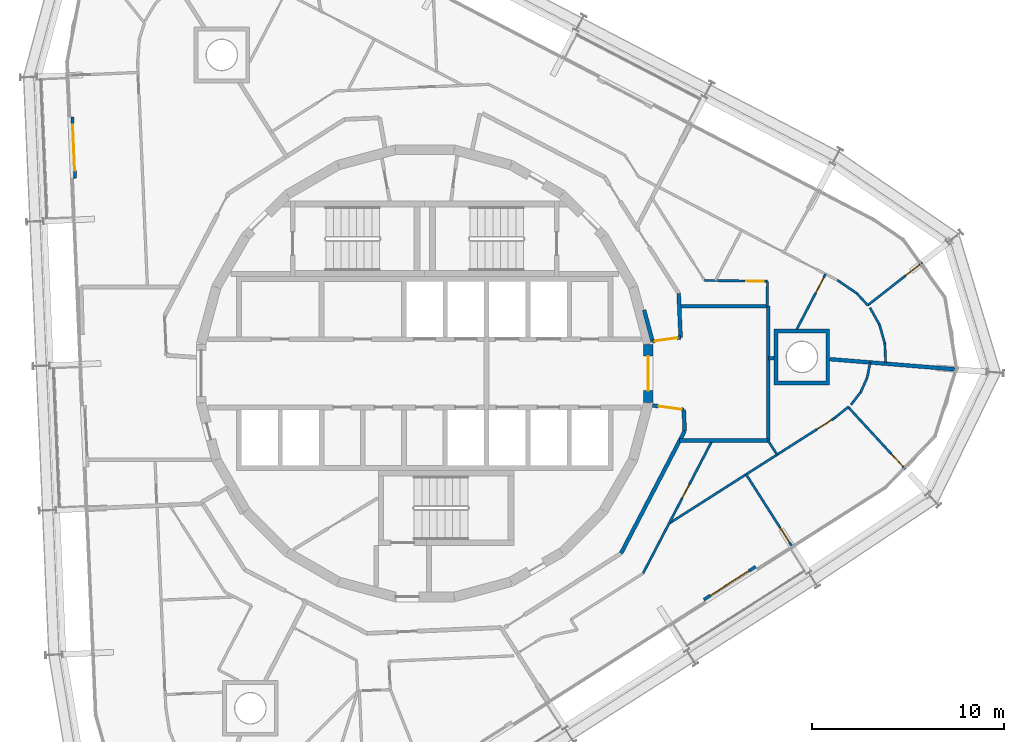
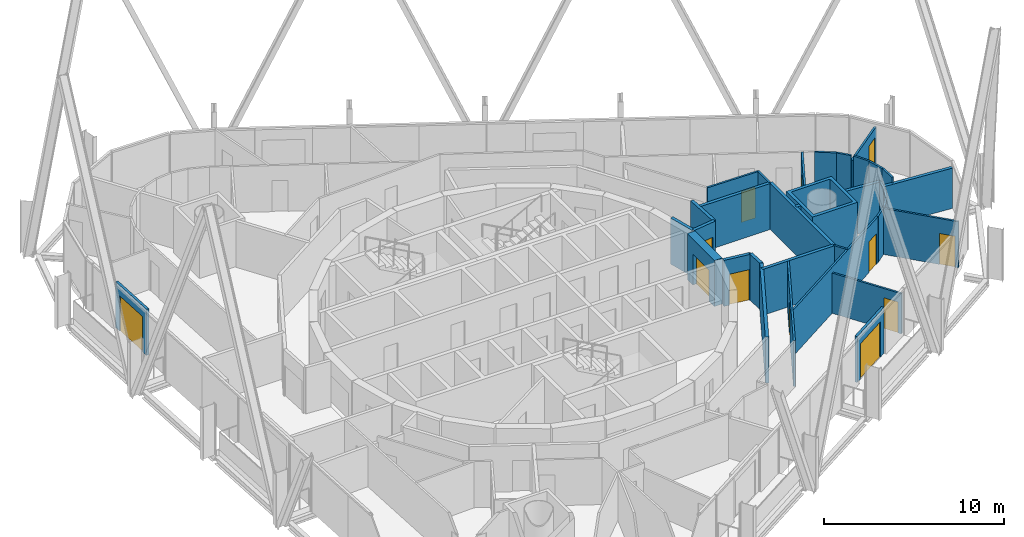
# One storey, part 14 of 18: 34 walls, 12 doors, 12 openings.
"""IFC4 building model written with IfcOpenShell, lengths in metres."""

from ifc_helpers import new_model, si_unit, direction, frame, frame_2d, origin, place, context, subcontext, project, spatial, polyline, rectangle, outline, extrude, material, layer, layer_set, type_object, element, fill, save


model = new_model("IFC4")

# Units and contexts
model_context = context("Model", 3, precision=1e-05, world=origin(), true_north=direction((0.0, 1.0)))
body_context = subcontext(model_context, "Body", "Model", "MODEL_VIEW")
ifc_project = project(units=[si_unit("LENGTHUNIT", "METRE"), si_unit("AREAUNIT", "SQUARE_METRE"), si_unit("VOLUMEUNIT", "CUBIC_METRE"), si_unit("PLANEANGLEUNIT", "RADIAN"), si_unit("MASSUNIT", "GRAM", prefix="KILO")], contexts=[model_context])

# Site, building, storey
site_placement = place(None, origin())
site = spatial("IfcSite", under=ifc_project, at=site_placement, CompositionType="ELEMENT")
building_placement = place(site_placement, origin())
building = spatial("IfcBuilding", under=site, at=building_placement, Name="Spindle Arch Residences", CompositionType="ELEMENT")
storey_placement = place(building_placement, frame((0.0, 0.0, 240.699951171875)))
storey = spatial("IfcBuildingStorey", under=building, at=storey_placement, Name="L61", CompositionType="ELEMENT", Elevation=240.699951171875)

# Wall, opening, door
ifc_material_1 = material(Name="Concrete C50/60", Category="concrete")
ifc_layer_1 = layer(ifc_material_1, 0.5)
ifc_layer_set_1 = layer_set([ifc_layer_1], Name="Core outline wall 500")
wall_type_1 = type_object("IfcWallType", Name="Core outline wall 500", PredefinedType="SHEAR", material=ifc_layer_set_1)
wall_1_placement = place(storey_placement, frame((11.647216796875, -1.516357421875, 0.0), z_axis=(0.0, 0.0, 1.0), x_axis=(0.0, 1.0, 0.0)))
wall_1 = element("IfcWall", 1, at=wall_1_placement, inside=storey, type_object=wall_type_1, Name="Core outline wall 6", PredefinedType="SHEAR", context=body_context, shape_type="SweptSolid", body=[
    extrude(rectangle(XDim=3.03271484375, YDim=0.5, at=frame_2d((1.516357421875, 0.0))), origin(), (0.0, 0.0, 1.0), 3.1201171875),
])
opening_1_placement = place(wall_1_placement, frame((0.6162109375, 0.0, 0.0)))
opening_1 = element("IfcOpeningElement", 2, at=opening_1_placement, cuts=wall_1, Name="Opening R6B0-FE01", PredefinedType="OPENING", context=body_context, shape_type="SweptSolid", body=[
    extrude(rectangle(XDim=1.800048828125, YDim=2.10009765625, at=frame_2d((0.89990234375, 1.050048828125))), frame((0.0, 0.260009765625, 0.0), z_axis=(0.0, -1.0, 0.0), x_axis=(1.0, 0.0, 0.0)), (0.0, 0.0, 1.0), 0.52001953125),
])
ifc_material_2 = material(Name="Steel, fire-resisting door", Category="steel")
door_type_1 = type_object("IfcDoorType", Name="Fire-lift lobby door 1800x2100", OperationType="DOUBLE_DOOR_SINGLE_SWING", PredefinedType="DOOR", material=ifc_material_2)
door_1_placement = place(opening_1_placement, origin())
door_1 = element("IfcDoor", 3, at=door_1_placement, inside=storey, type_object=door_type_1, Name="Fire-lift lobby door R6B0-FE01", OperationType="DOUBLE_DOOR_SINGLE_SWING", OverallHeight=2.10009765625, OverallWidth=1.800048828125, PredefinedType="DOOR", context=body_context, shape_type="SweptSolid", body=[
    extrude(rectangle(XDim=1.800048828125, YDim=2.10009765625, at=frame_2d((0.89990234375, 1.050048828125))), frame((0.0, 0.02490234375, 0.0), z_axis=(0.0, -1.0, 0.0), x_axis=(1.0, 0.0, 0.0)), (0.0, 0.0, 1.0), 0.050048828125),
])
fill(opening_1, door_1)

# Wall
ifc_material_3 = material(Name="Calcium silicate block, plastered")
ifc_layer_2 = layer(ifc_material_3, 0.199951171875)
ifc_layer_set_2 = layer_set([ifc_layer_2], Name="Fire-lift lobby bay wall 200")
wall_type_2 = type_object("IfcWallType", Name="Fire-lift lobby bay wall 200", PredefinedType="STANDARD", material=ifc_layer_set_2)
wall_2_placement = place(storey_placement, frame((11.8701171875, 1.668212890625, 0.0), z_axis=(0.0, 0.0, 1.0), x_axis=(-0.258836880648, 0.965921047093, 0.0)))
element("IfcWall", 4, at=wall_2_placement, inside=storey, type_object=wall_type_2, Name="Fire-lift lobby bay wall R6B0-W001", PredefinedType="STANDARD", context=body_context, shape_type="SweptSolid", body=[
    extrude(rectangle(XDim=1.695068359375, YDim=0.199951171875, at=frame_2d((0.84765625, 0.0))), origin(), (0.0, 0.0, 1.0), 3.1201171875),
])

# Wall, opening, door
wall_3_placement = place(storey_placement, frame((11.8701171875, 1.668212890625, 0.0), z_axis=(0.0, 0.0, 1.0), x_axis=(0.990267985606, 0.139173692496, 0.0)))
wall_3 = element("IfcWall", 5, at=wall_3_placement, inside=storey, type_object=wall_type_2, Name="Fire-lift lobby bay wall R6B0-W002", PredefinedType="STANDARD", context=body_context, shape_type="SweptSolid", body=[
    extrude(rectangle(XDim=1.475341796875, YDim=0.199951171875, at=frame_2d((0.73779296875, 0.0))), origin(), (0.0, 0.0, 1.0), 3.1201171875),
])
opening_2_placement = place(wall_3_placement, frame((0.110107421875, 0.0, 0.0)))
opening_2 = element("IfcOpeningElement", 6, at=opening_2_placement, cuts=wall_3, Name="Opening R6B0-CD01", PredefinedType="OPENING", context=body_context, shape_type="SweptSolid", body=[
    extrude(rectangle(XDim=1.199951171875, YDim=2.10009765625, at=frame_2d((0.60009765625, 1.050048828125))), frame((0.0, 0.10986328125, 0.0), z_axis=(0.0, -1.0, 0.0), x_axis=(1.0, 0.0, 0.0)), (0.0, 0.0, 1.0), 0.219970703125),
])
ifc_material_4 = material(Name="Steel, fire-resisting door", Category="steel")
door_type_2 = type_object("IfcDoorType", Name="Corridor division door 1200x2100", OperationType="NOTDEFINED", PredefinedType="DOOR", material=ifc_material_4)
door_2_placement = place(opening_2_placement, origin())
door_2 = element("IfcDoor", 7, at=door_2_placement, inside=storey, type_object=door_type_2, Name="Corridor division door R6B0-CD01", OperationType="DOUBLE_DOOR_SINGLE_SWING", OverallHeight=2.10009765625, OverallWidth=1.199951171875, PredefinedType="DOOR", context=body_context, shape_type="SweptSolid", body=[
    extrude(rectangle(XDim=1.199951171875, YDim=2.10009765625, at=frame_2d((0.60009765625, 1.050048828125))), frame((0.0, 0.02490234375, 0.0), z_axis=(0.0, -1.0, 0.0), x_axis=(1.0, 0.0, 0.0)), (0.0, 0.0, 1.0), 0.050048828125),
])
fill(opening_2, door_2)

# Walls
wall_4_placement = place(storey_placement, frame((13.3310546875, 1.87353515625, 0.0), z_axis=(0.0, 0.0, 1.0), x_axis=(-0.043621457762, 0.999048131184, 0.0)))
element("IfcWall", 8, at=wall_4_placement, inside=storey, type_object=wall_type_2, Name="Fire-lift lobby bay wall R6B0-W003", PredefinedType="STANDARD", context=body_context, shape_type="SweptSolid", body=[
    extrude(rectangle(XDim=2.30029296875, YDim=0.199951171875, at=frame_2d((1.150146484375, 0.0))), origin(), (0.0, 0.0, 1.0), 3.1201171875),
])
wall_5_placement = place(storey_placement, frame((10.22802734375, -9.372314453125, 0.0), z_axis=(0.0, 0.0, 1.0), x_axis=(0.461759464021, 0.887005184532, 0.0)))
element("IfcWall", 9, at=wall_5_placement, inside=storey, type_object=wall_type_2, Name="Fire-lift lobby bay wall R6B0-W013", PredefinedType="STANDARD", context=body_context, shape_type="SweptSolid", body=[
    extrude(rectangle(XDim=7.18115234375, YDim=0.199951171875, at=frame_2d((3.590576171875, 0.0))), origin(), (0.0, 0.0, 1.0), 3.1201171875),
])
wall_6_placement = place(storey_placement, frame((13.5439453125, -3.002685546875, 0.0), z_axis=(0.0, 0.0, 1.0), x_axis=(-0.043666917606, 0.999046145234, 0.0)))
element("IfcWall", 10, at=wall_6_placement, inside=storey, type_object=wall_type_2, Name="Fire-lift lobby bay wall R6B0-W014", PredefinedType="STANDARD", context=body_context, shape_type="SweptSolid", body=[
    extrude(rectangle(XDim=1.10693359375, YDim=0.199951171875, at=frame_2d((0.553466796875, 0.0))), origin(), (0.0, 0.0, 1.0), 3.1201171875),
])

# Wall, opening, door
wall_7_placement = place(storey_placement, frame((13.49560546875, -1.896728515625, 0.0), z_axis=(0.0, 0.0, 1.0), x_axis=(-0.99026234641, 0.139213811391, 0.0)))
wall_7 = element("IfcWall", 11, at=wall_7_placement, inside=storey, type_object=wall_type_2, Name="Fire-lift lobby bay wall R6B0-W015", PredefinedType="STANDARD", context=body_context, shape_type="SweptSolid", body=[
    extrude(rectangle(XDim=1.641357421875, YDim=0.199951171875, at=frame_2d((0.82080078125, 0.0))), origin(), (0.0, 0.0, 1.0), 3.1201171875),
])
opening_3_placement = place(wall_7_placement, frame((0.110107421875, 0.0, 0.0)))
opening_3 = element("IfcOpeningElement", 12, at=opening_3_placement, cuts=wall_7, Name="Opening R6B0-CD02", PredefinedType="OPENING", context=body_context, shape_type="SweptSolid", body=[
    extrude(rectangle(XDim=1.199951171875, YDim=2.10009765625, at=frame_2d((0.60009765625, 1.050048828125))), frame((0.0, 0.10986328125, 0.0), z_axis=(0.0, -1.0, 0.0), x_axis=(1.0, 0.0, 0.0)), (0.0, 0.0, 1.0), 0.219970703125),
])
door_3_placement = place(opening_3_placement, origin())
door_3 = element("IfcDoor", 13, at=door_3_placement, inside=storey, type_object=door_type_2, Name="Corridor division door R6B0-CD02", OperationType="DOUBLE_DOOR_SINGLE_SWING", OverallHeight=2.10009765625, OverallWidth=1.199951171875, PredefinedType="DOOR", context=body_context, shape_type="SweptSolid", body=[
    extrude(rectangle(XDim=1.199951171875, YDim=2.10009765625, at=frame_2d((0.60009765625, 1.050048828125))), frame((0.0, 0.02490234375, 0.0), z_axis=(0.0, -1.0, 0.0), x_axis=(1.0, 0.0, 0.0)), (0.0, 0.0, 1.0), 0.050048828125),
])
fill(opening_3, door_3)

# Walls
wall_8_placement = place(storey_placement, frame((17.83740234375, 3.5, 0.0), z_axis=(0.0, 0.0, 1.0), x_axis=(-1.0, 0.0, 0.0)))
element("IfcWall", 14, at=wall_8_placement, inside=storey, type_object=wall_type_2, Name="Fire-lift lobby bay wall R6B0-W025", PredefinedType="STANDARD", context=body_context, shape_type="SweptSolid", body=[
    extrude(rectangle(XDim=4.577392578125, YDim=0.199951171875, at=frame_2d((2.28857421875, 0.0))), origin(), (0.0, 0.0, 1.0), 3.1201171875),
])
wall_9_placement = place(storey_placement, frame((17.89990234375, -3.5, 0.0), z_axis=(0.0, 0.0, 1.0), x_axis=(0.0, 1.0, 0.0)))
element("IfcWall", 15, at=wall_9_placement, inside=storey, type_object=wall_type_2, Name="Fire-lift lobby bay wall R6B0-W026", PredefinedType="STANDARD", context=body_context, shape_type="SweptSolid", body=[
    extrude(rectangle(XDim=7.0, YDim=0.199951171875, at=frame_2d((3.5, 0.0))), origin(), (0.0, 0.0, 1.0), 3.1201171875),
])
wall_10_placement = place(storey_placement, frame((13.284912109375, -3.5, 0.0), z_axis=(0.0, 0.0, 1.0), x_axis=(1.0, 0.0, 0.0)))
element("IfcWall", 16, at=wall_10_placement, inside=storey, type_object=wall_type_2, Name="Fire-lift lobby bay wall R6B0-W027", PredefinedType="STANDARD", context=body_context, shape_type="SweptSolid", body=[
    extrude(rectangle(XDim=4.60107421875, YDim=0.199951171875, at=frame_2d((2.300537109375, 0.0))), origin(), (0.0, 0.0, 1.0), 3.1201171875),
])
ifc_material_5 = material(Name="Plasterboard on steel studs", Category="steel")
ifc_layer_3 = layer(ifc_material_5, 0.1201171875)
ifc_layer_set_3 = layer_set([ifc_layer_3], Name="Flat partition 120")
wall_type_3 = type_object("IfcWallType", Name="Flat partition 120", PredefinedType="PARTITIONING", material=ifc_layer_set_3)
wall_11_placement = place(storey_placement, frame((17.83740234375, 3.5, 0.0), z_axis=(0.0, 0.0, 1.0), x_axis=(0.014687681009, 0.999892130195, 0.0)))
element("IfcWall", 17, at=wall_11_placement, inside=storey, type_object=wall_type_3, Name="Flat partition R6B0-W038", PredefinedType="PARTITIONING", context=body_context, shape_type="SweptSolid", body=[
    extrude(rectangle(XDim=1.296630859375, YDim=0.1201171875, at=frame_2d((0.6484375, 0.0))), origin(), (0.0, 0.0, 1.0), 3.1201171875),
])

# Wall, opening, door
wall_12_placement = place(storey_placement, frame((17.8564453125, 4.79638671875, 0.0), z_axis=(0.0, 0.0, 1.0), x_axis=(-0.999890074231, 0.014826983962, 0.0)))
wall_12 = element("IfcWall", 18, at=wall_12_placement, inside=storey, type_object=wall_type_3, Name="Flat partition R6B0-W039", PredefinedType="PARTITIONING", context=body_context, shape_type="SweptSolid", body=[
    extrude(rectangle(XDim=3.276611328125, YDim=0.1201171875, at=frame_2d((1.63818359375, 0.0))), origin(), (0.0, 0.0, 1.0), 3.1201171875),
])
opening_4_placement = place(wall_12_placement, frame((0.199951171875, 0.0, 0.0)))
opening_4 = element("IfcOpeningElement", 19, at=opening_4_placement, cuts=wall_12, Name="Opening R6B0-ID01", PredefinedType="OPENING", context=body_context, shape_type="SweptSolid", body=[
    extrude(rectangle(XDim=0.89990234375, YDim=2.10009765625, at=frame_2d((0.449951171875, 1.050048828125))), frame((0.0, 0.070068359375, 0.0), z_axis=(0.0, -1.0, 0.0), x_axis=(1.0, 0.0, 0.0)), (0.0, 0.0, 1.0), 0.14013671875),
])
ifc_material_6 = material(Name="Timber door set", Category="wood")
door_type_3 = type_object("IfcDoorType", Name="Room door 900x2100", OperationType="NOTDEFINED", PredefinedType="DOOR", material=ifc_material_6)
door_4_placement = place(opening_4_placement, origin())
door_4 = element("IfcDoor", 20, at=door_4_placement, inside=storey, type_object=door_type_3, Name="Room door R6B0-ID01", OperationType="SINGLE_SWING_LEFT", OverallHeight=2.10009765625, OverallWidth=0.89990234375, PredefinedType="DOOR", context=body_context, shape_type="SweptSolid", body=[
    extrude(rectangle(XDim=0.89990234375, YDim=2.10009765625, at=frame_2d((0.449951171875, 1.050048828125))), frame((0.0, 0.02490234375, 0.0), z_axis=(0.0, -1.0, 0.0), x_axis=(1.0, 0.0, 0.0)), (0.0, 0.0, 1.0), 0.050048828125),
])
fill(opening_4, door_4)

# Walls
for number, where, z_axis, x_axis, name in (
    (21, (23.197265625, 3.419677734375, 0.0), (0.0, 0.0, 1.0), (0.487315027955, -0.873226238456, 0.0), "Flat partition R6B0-W041"),
    (22, (23.6923828125, 2.532470703125, 0.0), (0.0, 0.0, 1.0), (0.272721198141, -0.962093107804, 0.0), "Flat partition R6B0-W042"),
):
    element("IfcWall", number, at=place(storey_placement, frame(where, z_axis=z_axis, x_axis=x_axis)), inside=storey, type_object=wall_type_3, Name=name, PredefinedType="PARTITIONING", context=body_context, shape_type="SweptSolid", body=[
        extrude(rectangle(XDim=1.01611328125, YDim=0.1201171875, at=frame_2d((0.508056640625, 0.0))), origin(), (0.0, 0.0, 1.0), 3.1201171875),
    ])
wall_13_placement = place(storey_placement, frame((23.969482421875, 1.554931640625, 0.0), z_axis=(0.0, 0.0, 1.0), x_axis=(0.043739672645, -0.999042962558, 0.0)))
element("IfcWall", 23, at=wall_13_placement, inside=storey, type_object=wall_type_3, Name="Flat partition R6B0-W043", PredefinedType="PARTITIONING", context=body_context, shape_type="SweptSolid", body=[
    extrude(rectangle(XDim=1.015869140625, YDim=0.1201171875, at=frame_2d((0.5078125, 0.0))), origin(), (0.0, 0.0, 1.0), 3.1201171875),
])

# Wall, opening, door
wall_14_placement = place(storey_placement, frame((20.88232421875, 5.177001953125, 0.0), z_axis=(0.0, 0.0, 1.0), x_axis=(-0.461706806129, -0.887032595328, 0.0)))
wall_14 = element("IfcWall", 24, at=wall_14_placement, inside=storey, type_object=wall_type_3, Name="Flat partition R6B0-W045", PredefinedType="PARTITIONING", context=body_context, shape_type="SweptSolid", body=[
    extrude(rectangle(XDim=3.234619140625, YDim=0.1201171875, at=frame_2d((1.6171875, 0.0))), origin(), (0.0, 0.0, 1.0), 3.1201171875),
])
opening_5_placement = place(wall_14_placement, frame((0.199951171875, 0.0, 0.0)))
opening_5 = element("IfcOpeningElement", 25, at=opening_5_placement, cuts=wall_14, Name="Opening R6B0-ID02", PredefinedType="OPENING", context=body_context, shape_type="SweptSolid", body=[
    extrude(rectangle(XDim=0.89990234375, YDim=2.10009765625, at=frame_2d((0.449951171875, 1.050048828125))), frame((0.0, 0.070068359375, 0.0), z_axis=(0.0, -1.0, 0.0), x_axis=(1.0, 0.0, 0.0)), (0.0, 0.0, 1.0), 0.14013671875),
])
door_5_placement = place(opening_5_placement, origin())
door_5 = element("IfcDoor", 26, at=door_5_placement, inside=storey, type_object=door_type_3, Name="Room door R6B0-ID02", OperationType="SINGLE_SWING_LEFT", OverallHeight=2.10009765625, OverallWidth=0.89990234375, PredefinedType="DOOR", context=body_context, shape_type="SweptSolid", body=[
    extrude(rectangle(XDim=0.89990234375, YDim=2.10009765625, at=frame_2d((0.449951171875, 1.050048828125))), frame((0.0, 0.02490234375, 0.0), z_axis=(0.0, -1.0, 0.0), x_axis=(1.0, 0.0, 0.0)), (0.0, 0.0, 1.0), 0.050048828125),
])
fill(opening_5, door_5)

# Walls
wall_15_placement = place(storey_placement, frame((23.080078125, 3.54736328125, 0.0), z_axis=(0.0, 0.0, 1.0), x_axis=(-0.67556712677, 0.737298485844, 0.0)))
element("IfcWall", 27, at=wall_15_placement, inside=storey, type_object=wall_type_3, Name="Flat partition R6B0-W046", PredefinedType="PARTITIONING", context=body_context, shape_type="SweptSolid", body=[
    extrude(rectangle(XDim=0.84228515625, YDim=0.1201171875, at=frame_2d((0.421142578125, 0.0))), origin(), (0.0, 0.0, 1.0), 3.1201171875),
])
wall_16_placement = place(storey_placement, frame((22.510986328125, 4.16845703125, 0.0), z_axis=(0.0, 0.0, 1.0), x_axis=(-0.82733707504, 0.561705763068, 0.0)))
element("IfcWall", 28, at=wall_16_placement, inside=storey, type_object=wall_type_3, Name="Flat partition R6B0-W047", PredefinedType="PARTITIONING", context=body_context, shape_type="SweptSolid", body=[
    extrude(rectangle(XDim=1.22705078125, YDim=0.1201171875, at=frame_2d((0.613525390625, 0.0))), origin(), (0.0, 0.0, 1.0), 3.1201171875),
])

# Wall, opening, door
wall_17_placement = place(storey_placement, frame((11.373046875, -10.42138671875, 0.0), z_axis=(0.0, 0.0, 1.0), x_axis=(0.461746745223, 0.887011805601, 0.0)))
wall_17 = element("IfcWall", 29, at=wall_17_placement, inside=storey, type_object=wall_type_3, Name="Flat partition R6B0-W098", PredefinedType="PARTITIONING", context=body_context, shape_type="SweptSolid", body=[
    extrude(rectangle(XDim=7.802978515625, YDim=0.1201171875, at=frame_2d((3.9013671875, 0.0))), origin(), (0.0, 0.0, 1.0), 3.1201171875),
])
opening_6_placement = place(wall_17_placement, frame((4.431396484375, 0.0, 0.0)))
opening_6 = element("IfcOpeningElement", 30, at=opening_6_placement, cuts=wall_17, Name="Opening R6B0-BD06", PredefinedType="OPENING", context=body_context, shape_type="SweptSolid", body=[
    extrude(rectangle(XDim=0.800048828125, YDim=2.10009765625, at=frame_2d((0.39990234375, 1.050048828125))), frame((0.0, 0.070068359375, 0.0), z_axis=(0.0, -1.0, 0.0), x_axis=(1.0, 0.0, 0.0)), (0.0, 0.0, 1.0), 0.14013671875),
])
ifc_material_7 = material(Name="Timber door set", Category="wood")
door_type_4 = type_object("IfcDoorType", Name="Bathroom door 800x2100", OperationType="NOTDEFINED", PredefinedType="DOOR", material=ifc_material_7)
door_6_placement = place(opening_6_placement, origin())
door_6 = element("IfcDoor", 31, at=door_6_placement, inside=storey, type_object=door_type_4, Name="Bathroom door R6B0-BD06", OperationType="SINGLE_SWING_RIGHT", OverallHeight=2.10009765625, OverallWidth=0.800048828125, PredefinedType="DOOR", context=body_context, shape_type="SweptSolid", body=[
    extrude(rectangle(XDim=0.800048828125, YDim=2.10009765625, at=frame_2d((0.39990234375, 1.050048828125))), frame((0.0, 0.02490234375, 0.0), z_axis=(0.0, -1.0, 0.0), x_axis=(1.0, 0.0, 0.0)), (0.0, 0.0, 1.0), 0.050048828125),
])
fill(opening_6, door_6)

wall_18_placement = place(storey_placement, frame((21.3681640625, -2.31591796875, 0.0), z_axis=(0.0, 0.0, 1.0), x_axis=(-0.843388627156, -0.537304032726, 0.0)))
wall_18 = element("IfcWall", 32, at=wall_18_placement, inside=storey, type_object=wall_type_3, Name="Flat partition R6B0-W099", PredefinedType="PARTITIONING", context=body_context, shape_type="SweptSolid", body=[
    extrude(rectangle(XDim=10.246337890625, YDim=0.1201171875, at=frame_2d((5.123046875, 0.0))), origin(), (0.0, 0.0, 1.0), 3.1201171875),
])
opening_7_placement = place(wall_18_placement, frame((0.199951171875, 0.0, 0.0)))
opening_7 = element("IfcOpeningElement", 33, at=opening_7_placement, cuts=wall_18, Name="Opening R6B0-ID25", PredefinedType="OPENING", context=body_context, shape_type="SweptSolid", body=[
    extrude(rectangle(XDim=0.89990234375, YDim=2.10009765625, at=frame_2d((0.449951171875, 1.050048828125))), frame((0.0, 0.070068359375, 0.0), z_axis=(0.0, -1.0, 0.0), x_axis=(1.0, 0.0, 0.0)), (0.0, 0.0, 1.0), 0.14013671875),
])
door_7_placement = place(opening_7_placement, origin())
door_7 = element("IfcDoor", 34, at=door_7_placement, inside=storey, type_object=door_type_3, Name="Room door R6B0-ID25", OperationType="SINGLE_SWING_LEFT", OverallHeight=2.10009765625, OverallWidth=0.89990234375, PredefinedType="DOOR", context=body_context, shape_type="SweptSolid", body=[
    extrude(rectangle(XDim=0.89990234375, YDim=2.10009765625, at=frame_2d((0.449951171875, 1.050048828125))), frame((0.0, 0.02490234375, 0.0), z_axis=(0.0, -1.0, 0.0), x_axis=(1.0, 0.0, 0.0)), (0.0, 0.0, 1.0), 0.050048828125),
])
fill(opening_7, door_7)

# Walls
wall_19_placement = place(storey_placement, frame((18.354736328125, -4.235595703125, 0.0), z_axis=(0.0, 0.0, 1.0), x_axis=(-0.537400605047, 0.843327095316, 0.0)))
element("IfcWall", 35, at=wall_19_placement, inside=storey, type_object=wall_type_3, Name="Flat partition R6B0-W101", PredefinedType="PARTITIONING", context=body_context, shape_type="SweptSolid", body=[
    extrude(rectangle(XDim=0.872314453125, YDim=0.1201171875, at=frame_2d((0.43603515625, 0.0))), origin(), (0.0, 0.0, 1.0), 3.1201171875),
])
wall_20_placement = place(storey_placement, frame((22.08837890625, -1.72900390625, 0.0), z_axis=(0.0, 0.0, 1.0), x_axis=(-0.775196856296, -0.631719743232, 0.0)))
element("IfcWall", 36, at=wall_20_placement, inside=storey, type_object=wall_type_3, Name="Flat partition R6B0-W102", PredefinedType="PARTITIONING", context=body_context, shape_type="SweptSolid", body=[
    extrude(rectangle(XDim=0.928955078125, YDim=0.1201171875, at=frame_2d((0.46435546875, 0.0))), origin(), (0.0, 0.0, 1.0), 3.1201171875),
])

# Wall, opening, door
wall_21_placement = place(storey_placement, frame((25.044921875, -4.995849609375, 0.0), z_axis=(0.0, 0.0, 1.0), x_axis=(-0.677690998913, 0.735346795731, 0.0)))
wall_21 = element("IfcWall", 37, at=wall_21_placement, inside=storey, type_object=wall_type_3, Name="Flat partition R6B0-W103", PredefinedType="PARTITIONING", context=body_context, shape_type="SweptSolid", body=[
    extrude(rectangle(XDim=4.407958984375, YDim=0.1201171875, at=frame_2d((2.2041015625, 0.0))), origin(), (0.0, 0.0, 1.0), 3.1201171875),
])
opening_8_placement = place(wall_21_placement, frame((0.199951171875, 0.0, 0.0)))
opening_8 = element("IfcOpeningElement", 38, at=opening_8_placement, cuts=wall_21, Name="Opening R6B0-ID26", PredefinedType="OPENING", context=body_context, shape_type="SweptSolid", body=[
    extrude(rectangle(XDim=0.89990234375, YDim=2.10009765625, at=frame_2d((0.449951171875, 1.050048828125))), frame((0.0, 0.070068359375, 0.0), z_axis=(0.0, -1.0, 0.0), x_axis=(1.0, 0.0, 0.0)), (0.0, 0.0, 1.0), 0.14013671875),
])
door_8_placement = place(opening_8_placement, origin())
door_8 = element("IfcDoor", 39, at=door_8_placement, inside=storey, type_object=door_type_3, Name="Room door R6B0-ID26", OperationType="SINGLE_SWING_RIGHT", OverallHeight=2.10009765625, OverallWidth=0.89990234375, PredefinedType="DOOR", context=body_context, shape_type="SweptSolid", body=[
    extrude(rectangle(XDim=0.89990234375, YDim=2.10009765625, at=frame_2d((0.449951171875, 1.050048828125))), frame((0.0, 0.02490234375, 0.0), z_axis=(0.0, -1.0, 0.0), x_axis=(1.0, 0.0, 0.0)), (0.0, 0.0, 1.0), 0.050048828125),
])
fill(opening_8, door_8)

# Walls
wall_22_placement = place(storey_placement, frame((22.210693359375, -1.62939453125, 0.0), z_axis=(0.0, 0.0, 1.0), x_axis=(0.60891358868, 0.793236560882, 0.0)))
element("IfcWall", 40, at=wall_22_placement, inside=storey, type_object=wall_type_3, Name="Flat partition R6B0-W104", PredefinedType="PARTITIONING", context=body_context, shape_type="SweptSolid", body=[
    extrude(rectangle(XDim=0.8291015625, YDim=0.1201171875, at=frame_2d((0.41455078125, 0.0))), origin(), (0.0, 0.0, 1.0), 3.1201171875),
])
wall_23_placement = place(storey_placement, frame((22.715576171875, -0.9716796875, 0.0), z_axis=(0.0, 0.0, 1.0), x_axis=(0.409335118315, 0.91238410821, 0.0)))
element("IfcWall", 41, at=wall_23_placement, inside=storey, type_object=wall_type_3, Name="Flat partition R6B0-W105", PredefinedType="PARTITIONING", context=body_context, shape_type="SweptSolid", body=[
    extrude(rectangle(XDim=0.828369140625, YDim=0.1201171875, at=frame_2d((0.4140625, 0.0))), origin(), (0.0, 0.0, 1.0), 3.1201171875),
])
wall_24_placement = place(storey_placement, frame((23.0546875, -0.2158203125, 0.0), z_axis=(0.0, 0.0, 1.0), x_axis=(0.18778445718, 0.982210261421, 0.0)))
element("IfcWall", 42, at=wall_24_placement, inside=storey, type_object=wall_type_3, Name="Flat partition R6B0-W106", PredefinedType="PARTITIONING", context=body_context, shape_type="SweptSolid", body=[
    extrude(rectangle(XDim=0.80078125, YDim=0.1201171875, at=frame_2d((0.400390625, 0.0))), origin(), (0.0, 0.0, 1.0), 3.1201171875),
])

# Wall, opening, door
ifc_material_8 = material(Name="Plasterboard on steel studs", Category="steel")
ifc_layer_4 = layer(ifc_material_8, 0.1201171875)
ifc_layer_set_4 = layer_set([ifc_layer_4], Name="Flat partition 120 under beam 2730")
wall_type_4 = type_object("IfcWallType", Name="Flat partition 120 under beam 2730", PredefinedType="PARTITIONING", material=ifc_layer_set_4)
wall_25_placement = place(storey_placement, frame((25.921630859375, 5.775146484375, 0.0), z_axis=(0.0, 0.0, 1.0), x_axis=(-0.786972505765, -0.616988067283, 0.0)))
wall_25 = element("IfcWall", 43, at=wall_25_placement, inside=storey, type_object=wall_type_4, Name="Flat partition R6B0-W044", PredefinedType="PARTITIONING", context=body_context, shape_type="SweptSolid", body=[
    extrude(rectangle(XDim=3.61083984375, YDim=0.1201171875, at=frame_2d((1.805419921875, 0.0))), origin(), (0.0, 0.0, 1.0), 2.72998046875),
])
opening_9_placement = place(wall_25_placement, frame((0.199951171875, 0.0, 0.0)))
opening_9 = element("IfcOpeningElement", 44, at=opening_9_placement, cuts=wall_25, Name="Opening R6B0-ID05", PredefinedType="OPENING", context=body_context, shape_type="SweptSolid", body=[
    extrude(rectangle(XDim=0.89990234375, YDim=2.10009765625, at=frame_2d((0.449951171875, 1.050048828125))), frame((0.0, 0.070068359375, 0.0), z_axis=(0.0, -1.0, 0.0), x_axis=(1.0, 0.0, 0.0)), (0.0, 0.0, 1.0), 0.14013671875),
])
door_9_placement = place(opening_9_placement, origin())
door_9 = element("IfcDoor", 45, at=door_9_placement, inside=storey, type_object=door_type_3, Name="Room door R6B0-ID05", OperationType="SINGLE_SWING_LEFT", OverallHeight=2.10009765625, OverallWidth=0.89990234375, PredefinedType="DOOR", context=body_context, shape_type="SweptSolid", body=[
    extrude(rectangle(XDim=0.89990234375, YDim=2.10009765625, at=frame_2d((0.449951171875, 1.050048828125))), frame((0.0, 0.02490234375, 0.0), z_axis=(0.0, -1.0, 0.0), x_axis=(1.0, 0.0, 0.0)), (0.0, 0.0, 1.0), 0.050048828125),
])
fill(opening_9, door_9)

wall_26_placement = place(storey_placement, frame((19.108642578125, -8.972412109375, 0.0), z_axis=(0.0, 0.0, 1.0), x_axis=(-0.537345751125, 0.843362047847, 0.0)))
wall_26 = element("IfcWall", 46, at=wall_26_placement, inside=storey, type_object=wall_type_4, Name="Flat partition R6B0-W100", PredefinedType="PARTITIONING", context=body_context, shape_type="SweptSolid", body=[
    extrude(rectangle(XDim=4.39990234375, YDim=0.1201171875, at=frame_2d((2.199951171875, 0.0))), origin(), (0.0, 0.0, 1.0), 2.72998046875),
])
opening_10_placement = place(wall_26_placement, frame((0.199951171875, 0.0, 0.0)))
opening_10 = element("IfcOpeningElement", 47, at=opening_10_placement, cuts=wall_26, Name="Opening R6B0-ID24", PredefinedType="OPENING", context=body_context, shape_type="SweptSolid", body=[
    extrude(rectangle(XDim=0.89990234375, YDim=2.10009765625, at=frame_2d((0.449951171875, 1.050048828125))), frame((0.0, 0.070068359375, 0.0), z_axis=(0.0, -1.0, 0.0), x_axis=(1.0, 0.0, 0.0)), (0.0, 0.0, 1.0), 0.14013671875),
])
door_10_placement = place(opening_10_placement, origin())
door_10 = element("IfcDoor", 48, at=door_10_placement, inside=storey, type_object=door_type_3, Name="Room door R6B0-ID24", OperationType="SINGLE_SWING_RIGHT", OverallHeight=2.10009765625, OverallWidth=0.89990234375, PredefinedType="DOOR", context=body_context, shape_type="SweptSolid", body=[
    extrude(rectangle(XDim=0.89990234375, YDim=2.10009765625, at=frame_2d((0.449951171875, 1.050048828125))), frame((0.0, 0.02490234375, 0.0), z_axis=(0.0, -1.0, 0.0), x_axis=(1.0, 0.0, 0.0)), (0.0, 0.0, 1.0), 0.050048828125),
])
fill(opening_10, door_10)

# Walls
ifc_material_9 = material(Name="Calcium silicate block, plastered")
ifc_layer_5 = layer(ifc_material_9, 0.199951171875)
ifc_layer_set_5 = layer_set([ifc_layer_5], Name="Flat party wall 200")
wall_type_5 = type_object("IfcWallType", Name="Flat party wall 200", PredefinedType="STANDARD", material=ifc_layer_set_5)
wall_27_placement = place(storey_placement, frame((21.10009765625, 0.74072265625, 0.0), z_axis=(0.0, 0.0, 1.0), x_axis=(0.996757677143, -0.080461997598, 0.0)))
element("IfcWall", 49, at=wall_27_placement, inside=storey, type_object=wall_type_5, Name="Flat party wall R6B0-W030", PredefinedType="STANDARD", context=body_context, shape_type="SweptSolid", body=[
    extrude(rectangle(XDim=2.11181640625, YDim=0.199951171875, at=frame_2d((1.055908203125, 0.0))), origin(), (0.0, 0.0, 1.0), 3.1201171875),
])
wall_28_placement = place(storey_placement, frame((17.919921875, 0.782470703125, 0.0), z_axis=(0.0, 0.0, 1.0), x_axis=(0.999051221661, 0.04355061995, 0.0)))
element("IfcWall", 50, at=wall_28_placement, inside=storey, type_object=wall_type_5, Name="Flat party wall R6B0-W031", PredefinedType="STANDARD", context=body_context, shape_type="SweptSolid", body=[
    extrude(rectangle(XDim=0.2802734375, YDim=0.199951171875, at=frame_2d((0.14013671875, 0.0))), origin(), (0.0, 0.0, 1.0), 3.1201171875),
])
ifc_material_10 = material(Name="Calcium silicate block, plastered")
ifc_layer_6 = layer(ifc_material_10, 0.199951171875)
ifc_layer_set_6 = layer_set([ifc_layer_6], Name="Flat party wall 200 under beam 2730")
wall_type_6 = type_object("IfcWallType", Name="Flat party wall 200 under beam 2730", PredefinedType="STANDARD", material=ifc_layer_set_6)
wall_29_placement = place(storey_placement, frame((23.205078125, 0.57080078125, 0.0), z_axis=(0.0, 0.0, 1.0), x_axis=(0.996747395793, -0.080589260944, 0.0)))
element("IfcWall", 51, at=wall_29_placement, inside=storey, type_object=wall_type_6, Name="Flat party wall R6B0-W029", PredefinedType="STANDARD", context=body_context, shape_type="SweptSolid", body=[
    extrude(rectangle(XDim=4.426025390625, YDim=0.199951171875, at=frame_2d((2.212890625, 0.0))), origin(), (0.0, 0.0, 1.0), 2.72998046875),
])

# Wall, opening, door
ifc_material_11 = material(Name="Non-combustible mineral wool insulated aluminium faced external wall (K0)", Category="aluminium")
ifc_layer_7 = layer(ifc_material_11, 0.159912109375)
ifc_layer_set_7 = layer_set([ifc_layer_7], Name="Insulated external wall panel 160")
wall_type_7 = type_object("IfcWallType", Name="Insulated external wall panel 160", PredefinedType="STANDARD", material=ifc_layer_set_7)
wall_30_placement = place(storey_placement, frame((-18.354736328125, 13.3623046875, 0.0), z_axis=(0.0, 0.0, 1.0), x_axis=(0.043639181999, -0.999047357133, 0.0)))
wall_30 = element("IfcWall", 52, at=wall_30_placement, inside=storey, type_object=wall_type_7, Name="External wall L61 bay 13", PredefinedType="STANDARD", context=body_context, shape_type="SweptSolid", body=[
    extrude(rectangle(XDim=3.199951171875, YDim=0.159912109375, at=frame_2d((1.60009765625, 0.0))), origin(), (0.0, 0.0, 1.0), 3.1201171875),
])
opening_11_placement = place(wall_30_placement, frame((0.39990234375, 0.0, 0.0)))
opening_11 = element("IfcOpeningElement", 53, at=opening_11_placement, cuts=wall_30, Name="Opening BD13", PredefinedType="OPENING", context=body_context, shape_type="SweptSolid", body=[
    extrude(rectangle(XDim=2.39990234375, YDim=2.39990234375, at=frame_2d((1.199951171875, 1.199951171875))), frame((0.0, 0.08984375, 0.0), z_axis=(0.0, -1.0, 0.0), x_axis=(1.0, 0.0, 0.0)), (0.0, 0.0, 1.0), 0.179931640625),
])
ifc_material_12 = material(Name="Bronze aluminium frame, tinted double glazing", Category="aluminium")
door_type_5 = type_object("IfcDoorType", Name="Sliding glazed balcony door 2400x2400", OperationType="DOUBLE_DOOR_SLIDING", PredefinedType="DOOR", material=ifc_material_12)
door_11_placement = place(opening_11_placement, origin())
door_11 = element("IfcDoor", 54, at=door_11_placement, inside=storey, type_object=door_type_5, Name="Balcony door BD13", OperationType="DOUBLE_DOOR_SLIDING", OverallHeight=2.39990234375, OverallWidth=2.39990234375, PredefinedType="DOOR", context=body_context, shape_type="SweptSolid", body=[
    extrude(rectangle(XDim=2.39990234375, YDim=2.39990234375, at=frame_2d((1.199951171875, 1.199951171875))), frame((0.0, 0.02490234375, 0.0), z_axis=(0.0, -1.0, 0.0), x_axis=(1.0, 0.0, 0.0)), (0.0, 0.0, 1.0), 0.050048828125),
])
fill(opening_11, door_11)

wall_31_placement = place(storey_placement, frame((14.540771484375, -11.78759765625, 0.0), z_axis=(0.0, 0.0, 1.0), x_axis=(0.843419508298, 0.53725555653, 0.0)))
wall_31 = element("IfcWall", 55, at=wall_31_placement, inside=storey, type_object=wall_type_7, Name="External wall L61 bay 1", PredefinedType="STANDARD", context=body_context, shape_type="SweptSolid", body=[
    extrude(rectangle(XDim=3.199951171875, YDim=0.159912109375, at=frame_2d((1.60009765625, 0.0))), origin(), (0.0, 0.0, 1.0), 3.1201171875),
])
opening_12_placement = place(wall_31_placement, frame((0.39990234375, 0.0, 0.0)))
opening_12 = element("IfcOpeningElement", 56, at=opening_12_placement, cuts=wall_31, Name="Opening BD01", PredefinedType="OPENING", context=body_context, shape_type="SweptSolid", body=[
    extrude(rectangle(XDim=2.39990234375, YDim=2.39990234375, at=frame_2d((1.199951171875, 1.199951171875))), frame((0.0, 0.08984375, 0.0), z_axis=(0.0, -1.0, 0.0), x_axis=(1.0, 0.0, 0.0)), (0.0, 0.0, 1.0), 0.179931640625),
])
door_12_placement = place(opening_12_placement, origin())
door_12 = element("IfcDoor", 57, at=door_12_placement, inside=storey, type_object=door_type_5, Name="Balcony door BD01", OperationType="DOUBLE_DOOR_SLIDING", OverallHeight=2.39990234375, OverallWidth=2.39990234375, PredefinedType="DOOR", context=body_context, shape_type="SweptSolid", body=[
    extrude(rectangle(XDim=2.39990234375, YDim=2.39990234375, at=frame_2d((1.199951171875, 1.199951171875))), frame((0.0, 0.02490234375, 0.0), z_axis=(0.0, -1.0, 0.0), x_axis=(1.0, 0.0, 0.0)), (0.0, 0.0, 1.0), 0.050048828125),
])
fill(opening_12, door_12)

# Wall
ifc_material_13 = material(Name="Calcium silicate block, plastered")
ifc_layer_8 = layer(ifc_material_13, 0.199951171875)
ifc_layer_set_8 = layer_set([ifc_layer_8], Name="Mega-column casing wall 200")
wall_type_8 = type_object("IfcWallType", Name="Mega-column casing wall 200", PredefinedType="STANDARD", material=ifc_layer_set_8)
wall_32_placement = place(storey_placement, origin())
element("IfcWall", 58, at=wall_32_placement, inside=storey, type_object=wall_type_8, Name="Mega-column casing wall R6B0-WC01", PredefinedType="STANDARD", context=body_context, shape_type="SweptSolid", body=[
    extrude(outline(polyline([(21.10009765625, 2.307861328125), (21.10009765625, -0.592041015625), (18.199951171875, -0.592041015625), (18.199951171875, 2.307861328125), (21.10009765625, 2.307861328125)]), holes=[polyline([(18.39990234375, -0.39208984375), (20.89990234375, -0.39208984375), (20.89990234375, 2.10791015625), (18.39990234375, 2.10791015625), (18.39990234375, -0.39208984375)])]), origin(), (0.0, 0.0, 1.0), 3.1201171875),
])

save(model, "model.ifc")
